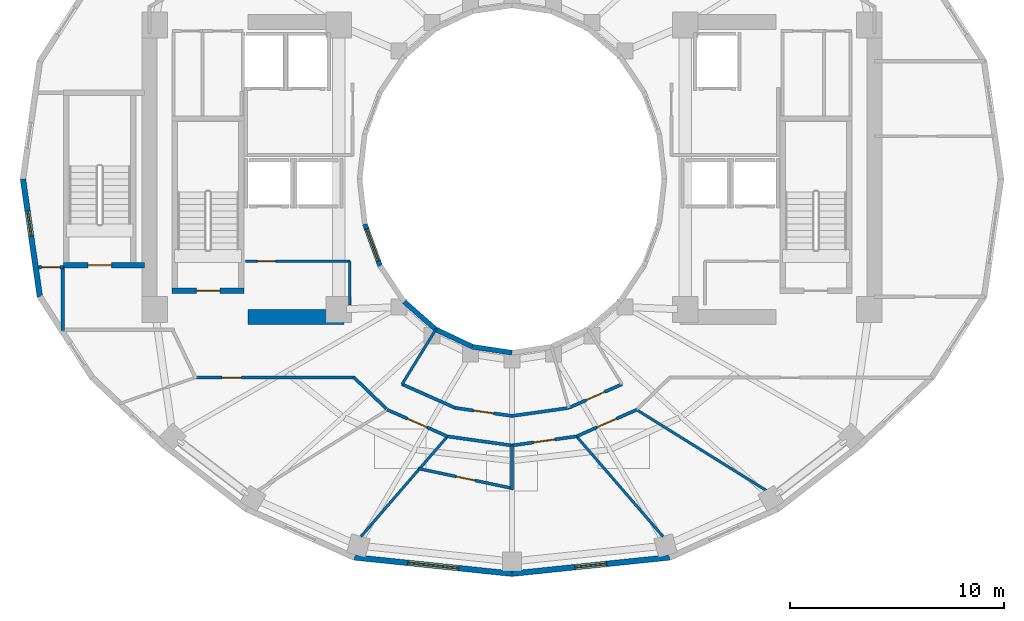
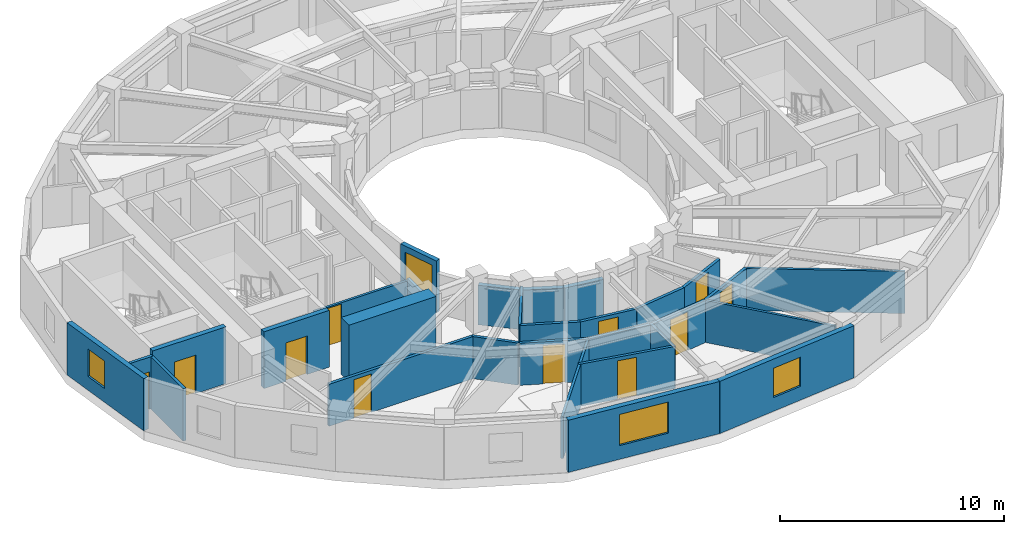
# One storey, part 3 of 9: 30 walls, 11 doors, 4 windows, 15 openings.
"""IFC4 building model written with IfcOpenShell, lengths in metres."""

from ifc_helpers import new_model, si_unit, direction, frame, frame_2d, origin, place, context, subcontext, project, spatial, rectangle, extrude, material, layer, layer_set, type_object, element, fill, save


model = new_model("IFC4")

# Units and contexts
model_context = context("Model", 3, precision=1e-05, world=origin(), true_north=direction((0.0, 1.0)))
body_context = subcontext(model_context, "Body", "Model", "MODEL_VIEW")
ifc_project = project(units=[si_unit("LENGTHUNIT", "METRE"), si_unit("AREAUNIT", "SQUARE_METRE"), si_unit("VOLUMEUNIT", "CUBIC_METRE"), si_unit("PLANEANGLEUNIT", "RADIAN"), si_unit("MASSUNIT", "GRAM", prefix="KILO")], contexts=[model_context])

# Site, building, storey
site_placement = place(None, origin())
site = spatial("IfcSite", under=ifc_project, at=site_placement, CompositionType="ELEMENT")
building_placement = place(site_placement, origin())
building = spatial("IfcBuilding", under=site, at=building_placement, Name="Solvane Sanctuary Tower", CompositionType="ELEMENT")
storey_placement = place(building_placement, frame((0.0, 0.0, 143.60009765625)))
storey = spatial("IfcBuildingStorey", under=building, at=storey_placement, Name="L43", CompositionType="ELEMENT", Elevation=143.60009765625)

# Wall
ifc_material_1 = material(Name="Concrete C60/75", Category="concrete")
ifc_layer_1 = layer(ifc_material_1, 0.699951171875, Name="Concrete C60/75")
ifc_layer_set_1 = layer_set([ifc_layer_1], Name="Concrete C60/75")
wall_type_1 = type_object("IfcWallType", Name="Wall W-CORE-700", PredefinedType="SHEAR", material=ifc_layer_set_1)
wall_1_placement = place(storey_placement, frame((19.64990234375, 16.550048828125, 0.0), z_axis=(0.0, 0.0, 1.0), x_axis=(1.0, 0.0, 0.0)))
element("IfcWall", 1, at=wall_1_placement, inside=storey, type_object=wall_type_1, Name="L43 Core Shear Wall WC-S", PredefinedType="SHEAR", context=body_context, shape_type="SweptSolid", body=[
    extrude(rectangle(XDim=4.5, YDim=0.699951171875, at=frame_2d((2.25, 0.0))), origin(), (0.0, 0.0, 1.0), 3.099853515625),
])

# Wall, opening, door
ifc_material_2 = material(Name="Acoustic Gypsum Partition Board")
ifc_layer_2 = layer(ifc_material_2, 0.14990234375, Name="Acoustic Gypsum Partition Board")
ifc_layer_set_2 = layer_set([ifc_layer_2], Name="Acoustic Gypsum Partition Board")
wall_type_2 = type_object("IfcWallType", Name="Wall W-CORR-150", PredefinedType="PARTITIONING", material=ifc_layer_set_2)
wall_2_placement = place(storey_placement, frame((9.869873046875, 18.8798828125, 0.0), z_axis=(0.0, 0.0, 1.0), x_axis=(1.0, 0.0, 0.0)))
wall_2 = element("IfcWall", 2, at=wall_2_placement, inside=storey, type_object=wall_type_2, Name="L43 SW Corner Closer 1", PredefinedType="PARTITIONING", context=body_context, shape_type="SweptSolid", body=[
    extrude(rectangle(XDim=1.170166015625, YDim=0.14990234375, at=frame_2d((0.5849609375, 0.0))), origin(), (0.0, 0.0, 1.0), 2.85498046875),
])
opening_1_placement = place(wall_2_placement, frame((0.139892578125, 0.0, 0.0)))
opening_1 = element("IfcOpeningElement", 3, at=opening_1_placement, cuts=wall_2, Name="Opening D-L43-18", PredefinedType="OPENING", context=body_context, shape_type="SweptSolid", body=[
    extrude(rectangle(XDim=0.85009765625, YDim=2.050048828125, at=frame_2d((0.425048828125, 1.02490234375))), frame((0.0, 0.0849609375, 0.0), z_axis=(0.0, -1.0, 0.0), x_axis=(1.0, 0.0, 0.0)), (0.0, 0.0, 1.0), 0.169921875),
])
ifc_material_3 = material(Name="Architectural Stainless Steel 316", Category="steel")
door_type_1 = type_object("IfcDoorType", Name="Door D-RISER", OperationType="NOTDEFINED", PredefinedType="DOOR", material=ifc_material_3)
door_1_placement = place(opening_1_placement, origin())
door_1 = element("IfcDoor", 4, at=door_1_placement, inside=storey, type_object=door_type_1, Name="L43 West Lookout Study Door", OperationType="SINGLE_SWING_LEFT", OverallHeight=2.050048828125, OverallWidth=0.85009765625, PredefinedType="DOOR", context=body_context, shape_type="SweptSolid", body=[
    extrude(rectangle(XDim=0.85009765625, YDim=2.050048828125, at=frame_2d((0.425048828125, 1.02490234375))), frame((0.0, 0.02490234375, 0.0), z_axis=(0.0, -1.0, 0.0), x_axis=(1.0, 0.0, 0.0)), (0.0, 0.0, 1.0), 0.050048828125),
])
fill(opening_1, door_1)

# Walls
wall_3_placement = place(storey_placement, frame((11.0, 15.909912109375, 0.0), z_axis=(0.0, 0.0, 1.0), x_axis=(0.0, 1.0, 0.0)))
element("IfcWall", 5, at=wall_3_placement, inside=storey, type_object=wall_type_2, Name="L43 SW Corner Closer 2", PredefinedType="PARTITIONING", context=body_context, shape_type="SweptSolid", body=[
    extrude(rectangle(XDim=3.010009765625, YDim=0.14990234375, at=frame_2d((1.5048828125, 0.0))), origin(), (0.0, 0.0, 1.0), 2.85498046875),
])
wall_4_placement = place(storey_placement, frame((26.132568359375, 12.251220703125, 0.0), z_axis=(0.0, 0.0, 1.0), x_axis=(-0.717419568599, 0.696641344302, 0.0)))
element("IfcWall", 6, at=wall_4_placement, inside=storey, type_object=wall_type_2, Name="L43 SW Corner Throat Wall", PredefinedType="PARTITIONING", context=body_context, shape_type="SweptSolid", body=[
    extrude(rectangle(XDim=2.138427734375, YDim=0.14990234375, at=frame_2d((1.0693359375, 0.0))), origin(), (0.0, 0.0, 1.0), 2.298828125),
])

# Wall, opening, door
wall_5_placement = place(storey_placement, frame((17.14990234375, 13.719970703125, 0.0), z_axis=(0.0, 0.0, 1.0), x_axis=(1.0, 0.0, 0.0)))
wall_5 = element("IfcWall", 7, at=wall_5_placement, inside=storey, type_object=wall_type_2, Name="L43 SW Corner Corridor Wall", PredefinedType="PARTITIONING", context=body_context, shape_type="SweptSolid", body=[
    extrude(rectangle(XDim=7.52001953125, YDim=0.14990234375, at=frame_2d((3.760009765625, 0.0))), origin(), (0.0, 0.0, 1.0), 2.298828125),
])
opening_2_placement = place(wall_5_placement, frame((1.300048828125, 0.0, 0.0)))
opening_2 = element("IfcOpeningElement", 8, at=opening_2_placement, cuts=wall_5, Name="Opening D-L43-20", PredefinedType="OPENING", context=body_context, shape_type="SweptSolid", body=[
    extrude(rectangle(XDim=0.89990234375, YDim=2.10009765625, at=frame_2d((0.449951171875, 1.050048828125))), frame((0.0, 0.0849609375, 0.0), z_axis=(0.0, -1.0, 0.0), x_axis=(1.0, 0.0, 0.0)), (0.0, 0.0, 1.0), 0.169921875),
])
ifc_material_4 = material(Name="Engineered Tropical Hardwood", Category="wood")
door_type_2 = type_object("IfcDoorType", Name="Door D-WET-900", OperationType="NOTDEFINED", PredefinedType="DOOR", material=ifc_material_4)
door_2_placement = place(opening_2_placement, origin())
door_2 = element("IfcDoor", 9, at=door_2_placement, inside=storey, type_object=door_type_2, Name="L43 SW Corner Salon Door", OperationType="SINGLE_SWING_LEFT", OverallHeight=2.10009765625, OverallWidth=0.89990234375, PredefinedType="DOOR", context=body_context, shape_type="SweptSolid", body=[
    extrude(rectangle(XDim=0.89990234375, YDim=2.10009765625, at=frame_2d((0.449951171875, 1.050048828125))), frame((0.0, 0.02490234375, 0.0), z_axis=(0.0, -1.0, 0.0), x_axis=(1.0, 0.0, 0.0)), (0.0, 0.0, 1.0), 0.050048828125),
])
fill(opening_2, door_2)

# Wall
wall_6_placement = place(storey_placement, frame((26.855712890625, 13.411865234375, 0.0), z_axis=(0.0, 0.0, 1.0), x_axis=(0.912985265053, -0.407992531545, 0.0)))
element("IfcWall", 10, at=wall_6_placement, inside=storey, type_object=wall_type_2, Name="L43 Inner Light-Well Corridor Wall S1", PredefinedType="PARTITIONING", context=body_context, shape_type="SweptSolid", body=[
    extrude(rectangle(XDim=2.723388671875, YDim=0.14990234375, at=frame_2d((1.36181640625, 0.0))), origin(), (0.0, 0.0, 1.0), 2.298828125),
])

# Wall, opening, door
wall_7_placement = place(storey_placement, frame((29.338623046875, 12.302001953125, 0.0), z_axis=(0.0, 0.0, 1.0), x_axis=(0.990079774468, -0.140506370634, 0.0)))
wall_7 = element("IfcWall", 11, at=wall_7_placement, inside=storey, type_object=wall_type_2, Name="L43 Inner Light-Well Corridor Wall S1", PredefinedType="PARTITIONING", context=body_context, shape_type="SweptSolid", body=[
    extrude(rectangle(XDim=2.689697265625, YDim=0.14990234375, at=frame_2d((1.3447265625, 0.0))), origin(), (0.0, 0.0, 1.0), 2.298828125),
])
opening_3_placement = place(wall_7_placement, frame((0.869873046875, 0.0, 0.0)))
opening_3 = element("IfcOpeningElement", 12, at=opening_3_placement, cuts=wall_7, Name="Opening D-L43-22", PredefinedType="OPENING", context=body_context, shape_type="SweptSolid", body=[
    extrude(rectangle(XDim=0.949951171875, YDim=2.10009765625, at=frame_2d((0.47509765625, 1.050048828125))), frame((0.0, 0.0849609375, 0.0), z_axis=(0.0, -1.0, 0.0), x_axis=(1.0, 0.0, 0.0)), (0.0, 0.0, 1.0), 0.169921875),
])
door_type_3 = type_object("IfcDoorType", Name="Door D-ROOM-950", OperationType="NOTDEFINED", PredefinedType="DOOR", material=ifc_material_4)
door_3_placement = place(opening_3_placement, origin())
door_3 = element("IfcDoor", 13, at=door_3_placement, inside=storey, type_object=door_type_3, Name="L43 Inner Light-Well Salon Door S1", OperationType="SINGLE_SWING_LEFT", OverallHeight=2.10009765625, OverallWidth=0.949951171875, PredefinedType="DOOR", context=body_context, shape_type="SweptSolid", body=[
    extrude(rectangle(XDim=0.949951171875, YDim=2.10009765625, at=frame_2d((0.47509765625, 1.050048828125))), frame((0.0, 0.02490234375, 0.0), z_axis=(0.0, -1.0, 0.0), x_axis=(1.0, 0.0, 0.0)), (0.0, 0.0, 1.0), 0.050048828125),
])
fill(opening_3, door_3)

# Wall
wall_8_placement = place(storey_placement, frame((31.998291015625, 11.924072265625, 0.0), z_axis=(0.0, 0.0, 1.0), x_axis=(0.990041682628, 0.140774524184, 0.0)))
element("IfcWall", 14, at=wall_8_placement, inside=storey, type_object=wall_type_2, Name="L43 Inner Light-Well Corridor Wall S1", PredefinedType="PARTITIONING", context=body_context, shape_type="SweptSolid", body=[
    extrude(rectangle(XDim=2.695068359375, YDim=0.14990234375, at=frame_2d((1.34765625, 0.0))), origin(), (0.0, 0.0, 1.0), 2.298828125),
])

# Wall, opening, door
wall_9_placement = place(storey_placement, frame((34.652587890625, 12.29931640625, 0.0), z_axis=(0.0, 0.0, 1.0), x_axis=(0.913112902883, 0.407706789971, 0.0)))
wall_9 = element("IfcWall", 15, at=wall_9_placement, inside=storey, type_object=wall_type_2, Name="L43 Inner Light-Well Corridor Wall S2", PredefinedType="PARTITIONING", context=body_context, shape_type="SweptSolid", body=[
    extrude(rectangle(XDim=2.728759765625, YDim=0.14990234375, at=frame_2d((1.3642578125, 0.0))), origin(), (0.0, 0.0, 1.0), 2.298828125),
])
opening_4_placement = place(wall_9_placement, frame((0.889404296875, 0.0, 0.0)))
opening_4 = element("IfcOpeningElement", 16, at=opening_4_placement, cuts=wall_9, Name="Opening D-L43-23", PredefinedType="OPENING", context=body_context, shape_type="SweptSolid", body=[
    extrude(rectangle(XDim=0.949951171875, YDim=2.10009765625, at=frame_2d((0.47509765625, 1.050048828125))), frame((0.0, 0.0849609375, 0.0), z_axis=(0.0, -1.0, 0.0), x_axis=(1.0, 0.0, 0.0)), (0.0, 0.0, 1.0), 0.169921875),
])
door_4_placement = place(opening_4_placement, origin())
door_4 = element("IfcDoor", 17, at=door_4_placement, inside=storey, type_object=door_type_3, Name="L43 Inner Light-Well Salon Door S2", OperationType="SINGLE_SWING_RIGHT", OverallHeight=2.10009765625, OverallWidth=0.949951171875, PredefinedType="DOOR", context=body_context, shape_type="SweptSolid", body=[
    extrude(rectangle(XDim=0.949951171875, YDim=2.10009765625, at=frame_2d((0.47509765625, 1.050048828125))), frame((0.0, 0.02490234375, 0.0), z_axis=(0.0, -1.0, 0.0), x_axis=(1.0, 0.0, 0.0)), (0.0, 0.0, 1.0), 0.050048828125),
])
fill(opening_4, door_4)

wall_10_placement = place(storey_placement, frame((26.1650390625, 12.217041015625, 0.0), z_axis=(0.0, 0.0, 1.0), x_axis=(0.91445214467, -0.404694051239, 0.0)))
wall_10 = element("IfcWall", 18, at=wall_10_placement, inside=storey, type_object=wall_type_2, Name="L43 Unit Corridor Wall S1", PredefinedType="PARTITIONING", context=body_context, shape_type="SweptSolid", body=[
    extrude(rectangle(XDim=3.090576171875, YDim=0.14990234375, at=frame_2d((1.54541015625, 0.0))), origin(), (0.0, 0.0, 1.0), 2.298828125),
])
opening_5_placement = place(wall_10_placement, frame((1.04541015625, 0.0, 0.0)))
opening_5 = element("IfcOpeningElement", 19, at=opening_5_placement, cuts=wall_10, Name="Opening D-L43-30", PredefinedType="OPENING", context=body_context, shape_type="SweptSolid", body=[
    extrude(rectangle(XDim=1.0, YDim=2.10009765625, at=frame_2d((0.5, 1.050048828125))), frame((0.0, 0.0849609375, 0.0), z_axis=(0.0, -1.0, 0.0), x_axis=(1.0, 0.0, 0.0)), (0.0, 0.0, 1.0), 0.169921875),
])
door_type_4 = type_object("IfcDoorType", Name="Door D-UNIT", OperationType="NOTDEFINED", PredefinedType="DOOR", material=ifc_material_4)
door_5_placement = place(opening_5_placement, origin())
door_5 = element("IfcDoor", 20, at=door_5_placement, inside=storey, type_object=door_type_4, Name="L43 Unit Entrance Door S1", OperationType="SINGLE_SWING_LEFT", OverallHeight=2.10009765625, OverallWidth=1.0, PredefinedType="DOOR", context=body_context, shape_type="SweptSolid", body=[
    extrude(rectangle(XDim=1.0, YDim=2.10009765625, at=frame_2d((0.5, 1.050048828125))), frame((0.0, 0.02490234375, 0.0), z_axis=(0.0, -1.0, 0.0), x_axis=(1.0, 0.0, 0.0)), (0.0, 0.0, 1.0), 0.050048828125),
])
fill(opening_5, door_5)

# Wall
wall_11_placement = place(storey_placement, frame((28.93359375, 10.975341796875, 0.0), z_axis=(0.0, 0.0, 1.0), x_axis=(0.990254405439, -0.139270285808, 0.0)))
element("IfcWall", 21, at=wall_11_placement, inside=storey, type_object=wall_type_2, Name="L43 En-suite Inner Wall S2", PredefinedType="PARTITIONING", context=body_context, shape_type="SweptSolid", body=[
    extrude(rectangle(XDim=3.146728515625, YDim=0.14990234375, at=frame_2d((1.5732421875, 0.0))), origin(), (0.0, 0.0, 1.0), 2.298828125),
])

# Wall, opening, door
wall_12_placement = place(storey_placement, frame((31.991943359375, 10.5439453125, 0.0), z_axis=(0.0, 0.0, 1.0), x_axis=(0.990243864279, 0.139345216129, 0.0)))
wall_12 = element("IfcWall", 22, at=wall_12_placement, inside=storey, type_object=wall_type_2, Name="L43 Unit Corridor Wall S2", PredefinedType="PARTITIONING", context=body_context, shape_type="SweptSolid", body=[
    extrude(rectangle(XDim=3.0625, YDim=0.14990234375, at=frame_2d((1.53125, 0.0))), origin(), (0.0, 0.0, 1.0), 2.298828125),
])
opening_6_placement = place(wall_12_placement, frame((1.03125, 0.0, 0.0)))
opening_6 = element("IfcOpeningElement", 23, at=opening_6_placement, cuts=wall_12, Name="Opening D-L43-32", PredefinedType="OPENING", context=body_context, shape_type="SweptSolid", body=[
    extrude(rectangle(XDim=1.0, YDim=2.10009765625, at=frame_2d((0.5, 1.050048828125))), frame((0.0, 0.0849609375, 0.0), z_axis=(0.0, -1.0, 0.0), x_axis=(1.0, 0.0, 0.0)), (0.0, 0.0, 1.0), 0.169921875),
])
door_6_placement = place(opening_6_placement, origin())
door_6 = element("IfcDoor", 24, at=door_6_placement, inside=storey, type_object=door_type_4, Name="L43 Unit Entrance Door S2", OperationType="SINGLE_SWING_LEFT", OverallHeight=2.10009765625, OverallWidth=1.0, PredefinedType="DOOR", context=body_context, shape_type="SweptSolid", body=[
    extrude(rectangle(XDim=1.0, YDim=2.10009765625, at=frame_2d((0.5, 1.050048828125))), frame((0.0, 0.02490234375, 0.0), z_axis=(0.0, -1.0, 0.0), x_axis=(1.0, 0.0, 0.0)), (0.0, 0.0, 1.0), 0.050048828125),
])
fill(opening_6, door_6)

wall_13_placement = place(storey_placement, frame((35.0087890625, 10.96630859375, 0.0), z_axis=(0.0, 0.0, 1.0), x_axis=(0.91445214467, 0.404694051239, 0.0)))
wall_13 = element("IfcWall", 25, at=wall_13_placement, inside=storey, type_object=wall_type_2, Name="L43 Unit Corridor Wall S3", PredefinedType="PARTITIONING", context=body_context, shape_type="SweptSolid", body=[
    extrude(rectangle(XDim=3.090576171875, YDim=0.14990234375, at=frame_2d((1.54541015625, 0.0))), origin(), (0.0, 0.0, 1.0), 2.298828125),
])
opening_7_placement = place(wall_13_placement, frame((1.04541015625, 0.0, 0.0)))
opening_7 = element("IfcOpeningElement", 26, at=opening_7_placement, cuts=wall_13, Name="Opening D-L43-33", PredefinedType="OPENING", context=body_context, shape_type="SweptSolid", body=[
    extrude(rectangle(XDim=1.0, YDim=2.10009765625, at=frame_2d((0.5, 1.050048828125))), frame((0.0, 0.0849609375, 0.0), z_axis=(0.0, -1.0, 0.0), x_axis=(1.0, 0.0, 0.0)), (0.0, 0.0, 1.0), 0.169921875),
])
door_7_placement = place(opening_7_placement, origin())
door_7 = element("IfcDoor", 27, at=door_7_placement, inside=storey, type_object=door_type_4, Name="L43 Unit Entrance Door S3", OperationType="SINGLE_SWING_RIGHT", OverallHeight=2.10009765625, OverallWidth=1.0, PredefinedType="DOOR", context=body_context, shape_type="SweptSolid", body=[
    extrude(rectangle(XDim=1.0, YDim=2.10009765625, at=frame_2d((0.5, 1.050048828125))), frame((0.0, 0.02490234375, 0.0), z_axis=(0.0, -1.0, 0.0), x_axis=(1.0, 0.0, 0.0)), (0.0, 0.0, 1.0), 0.050048828125),
])
fill(opening_7, door_7)

# Wall, opening, window
ifc_material_5 = material(Name="Precast concrete C40/50", Category="concrete")
ifc_layer_3 = layer(ifc_material_5, 0.260009765625, Name="Precast concrete C40/50")
ifc_layer_set_3 = layer_set([ifc_layer_3], Name="Precast concrete C40/50")
wall_type_3 = type_object("IfcWallType", Name="Wall W-EXT-250", PredefinedType="STANDARD", material=ifc_layer_set_3)
wall_14_placement = place(storey_placement, frame((9.139892578125, 23.0, 0.0), z_axis=(0.0, 0.0, 1.0), x_axis=(0.142227632286, -0.989833976288, 0.0)))
wall_14 = element("IfcWall", 28, at=wall_14_placement, inside=storey, type_object=wall_type_3, Name="L43 Ceramic-Printed Facade Wall 12", PredefinedType="STANDARD", context=body_context, shape_type="SweptSolid", body=[
    extrude(rectangle(XDim=5.552978515625, YDim=0.260009765625, at=frame_2d((2.7763671875, 0.0))), origin(), (0.0, 0.0, 1.0), 2.849853515625),
])
opening_8_placement = place(wall_14_placement, frame((1.506103515625, 0.0, 0.75)))
opening_8 = element("IfcOpeningElement", 29, at=opening_8_placement, cuts=wall_14, Name="Opening WN-OPER-1200", PredefinedType="OPENING", context=body_context, shape_type="SweptSolid", body=[
    extrude(rectangle(XDim=1.199951171875, YDim=1.5, at=frame_2d((0.60009765625, 0.75))), frame((0.0, 0.139892578125, 0.0), z_axis=(0.0, -1.0, 0.0), x_axis=(1.0, 0.0, 0.0)), (0.0, 0.0, 1.0), 0.280029296875),
])
ifc_material_6 = material(Name="Dark Ceramic-Fritted Low-E Glass", Category="glass")
window_type_1 = type_object("IfcWindowType", Name="Window WN-OPER-1200", PartitioningType="SINGLE_PANEL", PredefinedType="WINDOW", material=ifc_material_6)
window_1_placement = place(opening_8_placement, origin())
window_1 = element("IfcWindow", 30, at=window_1_placement, inside=storey, type_object=window_type_1, Name="L43 Operable Facade Window 12", OverallHeight=1.5, OverallWidth=1.199951171875, PartitioningType="SINGLE_PANEL", PredefinedType="WINDOW", context=body_context, shape_type="SweptSolid", body=[
    extrude(rectangle(XDim=1.199951171875, YDim=1.5, at=frame_2d((0.60009765625, 0.75))), frame((0.0, 0.030029296875, 0.0), z_axis=(0.0, -1.0, 0.0), x_axis=(1.0, 0.0, 0.0)), (0.0, 0.0, 1.0), 0.06005859375),
])
fill(opening_8, window_1)

wall_15_placement = place(storey_placement, frame((24.634765625, 5.3154296875, 0.0), z_axis=(0.0, 0.0, 1.0), x_axis=(0.994664178965, -0.10316574569, 0.0)))
wall_15 = element("IfcWall", 31, at=wall_15_placement, inside=storey, type_object=wall_type_3, Name="L43 Ceramic-Printed Facade Wall 17", PredefinedType="STANDARD", context=body_context, shape_type="SweptSolid", body=[
    extrude(rectangle(XDim=7.40478515625, YDim=0.260009765625, at=frame_2d((3.702392578125, 0.0))), origin(), (0.0, 0.0, 1.0), 2.849853515625),
])
opening_9_placement = place(wall_15_placement, frame((2.50244140625, 0.0, 0.75)))
opening_9 = element("IfcOpeningElement", 32, at=opening_9_placement, cuts=wall_15, Name="Opening WN-RIB-2400", PredefinedType="OPENING", context=body_context, shape_type="SweptSolid", body=[
    extrude(rectangle(XDim=2.39990234375, YDim=1.699951171875, at=frame_2d((1.199951171875, 0.85009765625))), frame((0.0, 0.139892578125, 0.0), z_axis=(0.0, -1.0, 0.0), x_axis=(1.0, 0.0, 0.0)), (0.0, 0.0, 1.0), 0.280029296875),
])
window_type_2 = type_object("IfcWindowType", Name="Window WN-RIB-2400", PartitioningType="SINGLE_PANEL", PredefinedType="WINDOW", material=ifc_material_6)
window_2_placement = place(opening_9_placement, origin())
window_2 = element("IfcWindow", 33, at=window_2_placement, inside=storey, type_object=window_type_2, Name="L43 Operable Facade Window 17", OverallHeight=1.699951171875, OverallWidth=2.39990234375, PartitioningType="SINGLE_PANEL", PredefinedType="WINDOW", context=body_context, shape_type="SweptSolid", body=[
    extrude(rectangle(XDim=2.39990234375, YDim=1.699951171875, at=frame_2d((1.199951171875, 0.85009765625))), frame((0.0, 0.030029296875, 0.0), z_axis=(0.0, -1.0, 0.0), x_axis=(1.0, 0.0, 0.0)), (0.0, 0.0, 1.0), 0.06005859375),
])
fill(opening_9, window_2)

wall_16_placement = place(storey_placement, frame((32.0, 4.551513671875, 0.0), z_axis=(0.0, 0.0, 1.0), x_axis=(0.994664178965, 0.10316574569, 0.0)))
wall_16 = element("IfcWall", 34, at=wall_16_placement, inside=storey, type_object=wall_type_3, Name="L43 Ceramic-Printed Facade Wall 18", PredefinedType="STANDARD", context=body_context, shape_type="SweptSolid", body=[
    extrude(rectangle(XDim=7.40478515625, YDim=0.260009765625, at=frame_2d((3.702392578125, 0.0))), origin(), (0.0, 0.0, 1.0), 2.849853515625),
])
opening_10_placement = place(wall_16_placement, frame((2.952392578125, 0.0, 0.75)))
opening_10 = element("IfcOpeningElement", 35, at=opening_10_placement, cuts=wall_16, Name="Opening WN-OPER-1500", PredefinedType="OPENING", context=body_context, shape_type="SweptSolid", body=[
    extrude(rectangle(XDim=1.5, YDim=1.60009765625, at=frame_2d((0.75, 0.800048828125))), frame((0.0, 0.139892578125, 0.0), z_axis=(0.0, -1.0, 0.0), x_axis=(1.0, 0.0, 0.0)), (0.0, 0.0, 1.0), 0.280029296875),
])
window_type_3 = type_object("IfcWindowType", Name="Window WN-OPER-1500", PartitioningType="SINGLE_PANEL", PredefinedType="WINDOW", material=ifc_material_6)
window_3_placement = place(opening_10_placement, origin())
window_3 = element("IfcWindow", 36, at=window_3_placement, inside=storey, type_object=window_type_3, Name="L43 Operable Facade Window 18", OverallHeight=1.60009765625, OverallWidth=1.5, PartitioningType="SINGLE_PANEL", PredefinedType="WINDOW", context=body_context, shape_type="SweptSolid", body=[
    extrude(rectangle(XDim=1.5, YDim=1.60009765625, at=frame_2d((0.75, 0.800048828125))), frame((0.0, 0.030029296875, 0.0), z_axis=(0.0, -1.0, 0.0), x_axis=(1.0, 0.0, 0.0)), (0.0, 0.0, 1.0), 0.06005859375),
])
fill(opening_10, window_3)

ifc_layer_4 = layer(ifc_material_5, 0.22998046875, Name="Precast concrete C40/50")
ifc_layer_set_4 = layer_set([ifc_layer_4], Name="Precast concrete C40/50")
wall_type_4 = type_object("IfcWallType", Name="Wall W-EXT-SP220", PredefinedType="STANDARD", material=ifc_layer_set_4)
wall_17_placement = place(storey_placement, frame((25.12255859375, 20.8984375, 0.0), z_axis=(0.0, 0.0, 1.0), x_axis=(0.341423187295, -0.93990968033, 0.0)))
wall_17 = element("IfcWall", 37, at=wall_17_placement, inside=storey, type_object=wall_type_4, Name="L43 Central Light-Well Wall 13", PredefinedType="STANDARD", context=body_context, shape_type="SweptSolid", body=[
    extrude(rectangle(XDim=2.083740234375, YDim=0.22998046875, at=frame_2d((1.0419921875, 0.0))), origin(), (0.0, 0.0, 1.0), 2.83984375),
])
opening_11_placement = place(wall_17_placement, frame((0.24169921875, 0.0, 0.85009765625)))
opening_11 = element("IfcOpeningElement", 38, at=opening_11_placement, cuts=wall_17, Name="Opening WN-WELL-1600", PredefinedType="OPENING", context=body_context, shape_type="SweptSolid", body=[
    extrude(rectangle(XDim=1.60009765625, YDim=1.64990234375, at=frame_2d((0.800048828125, 0.824951171875))), frame((0.0, 0.125, 0.0), z_axis=(0.0, -1.0, 0.0), x_axis=(1.0, 0.0, 0.0)), (0.0, 0.0, 1.0), 0.25),
])
ifc_material_7 = material(Name="Clear Laminated Light-Well Glass", Category="glass")
window_type_4 = type_object("IfcWindowType", Name="Window WN-WELL-1600", PartitioningType="SINGLE_PANEL", PredefinedType="WINDOW", material=ifc_material_7)
window_4_placement = place(opening_11_placement, origin())
window_4 = element("IfcWindow", 39, at=window_4_placement, inside=storey, type_object=window_type_4, Name="L43 Light-Well Daylight Window 13", OverallHeight=1.64990234375, OverallWidth=1.60009765625, PartitioningType="SINGLE_PANEL", PredefinedType="WINDOW", context=body_context, shape_type="SweptSolid", body=[
    extrude(rectangle(XDim=1.60009765625, YDim=1.64990234375, at=frame_2d((0.800048828125, 0.824951171875))), frame((0.0, 0.030029296875, 0.0), z_axis=(0.0, -1.0, 0.0), x_axis=(1.0, 0.0, 0.0)), (0.0, 0.0, 1.0), 0.06005859375),
])
fill(opening_11, window_4)

# Walls
wall_18_placement = place(storey_placement, frame((26.96533203125, 17.25830078125, 0.0), z_axis=(0.0, 0.0, 1.0), x_axis=(0.752576694707, -0.658504607869, 0.0)))
element("IfcWall", 40, at=wall_18_placement, inside=storey, type_object=wall_type_4, Name="L43 Central Light-Well Wall 15", PredefinedType="STANDARD", context=body_context, shape_type="SweptSolid", body=[
    extrude(rectangle(XDim=1.95947265625, YDim=0.22998046875, at=frame_2d((0.979736328125, 0.0))), origin(), (0.0, 0.0, 1.0), 2.159912109375),
])
wall_19_placement = place(storey_placement, frame((28.43994140625, 15.968017578125, 0.0), z_axis=(0.0, 0.0, 1.0), x_axis=(0.904179699603, -0.427152280606, 0.0)))
element("IfcWall", 41, at=wall_19_placement, inside=storey, type_object=wall_type_4, Name="L43 Central Light-Well Wall 16", PredefinedType="STANDARD", context=body_context, shape_type="SweptSolid", body=[
    extrude(rectangle(XDim=1.899169921875, YDim=0.22998046875, at=frame_2d((0.94970703125, 0.0))), origin(), (0.0, 0.0, 1.0), 2.159912109375),
])
wall_20_placement = place(storey_placement, frame((30.1572265625, 15.15673828125, 0.0), z_axis=(0.0, 0.0, 1.0), x_axis=(0.988901730308, -0.148571086668, 0.0)))
element("IfcWall", 42, at=wall_20_placement, inside=storey, type_object=wall_type_4, Name="L43 Central Light-Well Wall 17", PredefinedType="STANDARD", context=body_context, shape_type="SweptSolid", body=[
    extrude(rectangle(XDim=1.863525390625, YDim=0.22998046875, at=frame_2d((0.931640625, 0.0))), origin(), (0.0, 0.0, 1.0), 2.159912109375),
])

# Wall, opening, door
ifc_layer_5 = layer(ifc_material_2, 0.125, Name="Acoustic Gypsum Partition Board")
ifc_layer_set_5 = layer_set([ifc_layer_5], Name="Acoustic Gypsum Partition Board")
wall_type_5 = type_object("IfcWallType", Name="Wall W-PART-125", PredefinedType="PARTITIONING", material=ifc_layer_set_5)
wall_21_placement = place(storey_placement, frame((19.550048828125, 19.159912109375, 0.0), z_axis=(0.0, 0.0, 1.0), x_axis=(1.0, 0.0, 0.0)))
wall_21 = element("IfcWall", 43, at=wall_21_placement, inside=storey, type_object=wall_type_5, Name="L43 Reclaimed Room Partition PLW", PredefinedType="PARTITIONING", context=body_context, shape_type="SweptSolid", body=[
    extrude(rectangle(XDim=4.869873046875, YDim=0.125, at=frame_2d((2.43505859375, 0.0))), origin(), (0.0, 0.0, 1.0), 2.119873046875),
])
opening_12_placement = place(wall_21_placement, frame((0.550048828125, 0.0, 0.0)))
opening_12 = element("IfcOpeningElement", 44, at=opening_12_placement, cuts=wall_21, Name="Opening D-L43-06", PredefinedType="OPENING", context=body_context, shape_type="SweptSolid", body=[
    extrude(rectangle(XDim=0.85009765625, YDim=2.050048828125, at=frame_2d((0.425048828125, 1.02490234375))), frame((0.0, 0.072509765625, 0.0), z_axis=(0.0, -1.0, 0.0), x_axis=(1.0, 0.0, 0.0)), (0.0, 0.0, 1.0), 0.14501953125),
])
door_8_placement = place(opening_12_placement, origin())
door_8 = element("IfcDoor", 45, at=door_8_placement, inside=storey, type_object=door_type_1, Name="L43 Reclaimed Room Door PLW-1", OperationType="SINGLE_SWING_LEFT", OverallHeight=2.050048828125, OverallWidth=0.85009765625, PredefinedType="DOOR", context=body_context, shape_type="SweptSolid", body=[
    extrude(rectangle(XDim=0.85009765625, YDim=2.050048828125, at=frame_2d((0.425048828125, 1.02490234375))), frame((0.0, 0.02490234375, 0.0), z_axis=(0.0, -1.0, 0.0), x_axis=(1.0, 0.0, 0.0)), (0.0, 0.0, 1.0), 0.050048828125),
])
fill(opening_12, door_8)

# Walls
wall_22_placement = place(storey_placement, frame((24.419921875, 17.10009765625, 0.0), z_axis=(0.0, 0.0, 1.0), x_axis=(0.0, 1.0, 0.0)))
element("IfcWall", 46, at=wall_22_placement, inside=storey, type_object=wall_type_5, Name="L43 Reclaimed Room Closer Wall PLW-1", PredefinedType="PARTITIONING", context=body_context, shape_type="SweptSolid", body=[
    extrude(rectangle(XDim=2.039794921875, YDim=0.125, at=frame_2d((1.02001953125, 0.0))), origin(), (0.0, 0.0, 1.0), 2.23193359375),
])
wall_23_placement = place(storey_placement, frame((28.449951171875, 15.985107421875, 0.0), z_axis=(0.0, 0.0, 1.0), x_axis=(-0.524565340045, -0.851370192116, 0.0)))
element("IfcWall", 47, at=wall_23_placement, inside=storey, type_object=wall_type_5, Name="L43 Inner Light-Well Radial Wall 240", PredefinedType="PARTITIONING", context=body_context, shape_type="SweptSolid", body=[
    extrude(rectangle(XDim=3.027099609375, YDim=0.125, at=frame_2d((1.513671875, 0.0))), origin(), (0.0, 0.0, 1.0), 2.298828125),
])
for number, where, z_axis, x_axis, name in (
    (48, (28.947265625, 10.9267578125, 0.0), (0.0, 0.0, 1.0), (-0.653779283332, -0.756685303601, 0.0), "L43 Radial Compartment Wall 255"),
    (49, (35.052734375, 10.9267578125, 0.0), (0.0, 0.0, 1.0), (0.653779283332, -0.756685303601, 0.0), "L43 Radial Compartment Wall 285"),
):
    element("IfcWall", number, at=place(storey_placement, frame(where, z_axis=z_axis, x_axis=x_axis)), inside=storey, type_object=wall_type_5, Name=name, PredefinedType="PARTITIONING", context=body_context, shape_type="SweptSolid", body=[
        extrude(rectangle(XDim=6.139892578125, YDim=0.125, at=frame_2d((3.06982421875, 0.0))), origin(), (0.0, 0.0, 1.0), 2.298828125),
    ])
wall_24_placement = place(storey_placement, frame((37.874755859375, 12.18359375, 0.0), z_axis=(0.0, 0.0, 1.0), x_axis=(0.849008457073, -0.528379257559, 0.0)))
element("IfcWall", 50, at=wall_24_placement, inside=storey, type_object=wall_type_5, Name="L43 Radial Compartment Wall 300", PredefinedType="PARTITIONING", context=body_context, shape_type="SweptSolid", body=[
    extrude(rectangle(XDim=7.076904296875, YDim=0.125, at=frame_2d((3.53857421875, 0.0))), origin(), (0.0, 0.0, 1.0), 2.298828125),
])

# Wall, opening, door
ifc_material_8 = material(Name="Concrete C50/60", Category="concrete")
ifc_layer_6 = layer(ifc_material_8, 0.25, Name="Concrete C50/60")
ifc_layer_set_6 = layer_set([ifc_layer_6], Name="Concrete C50/60")
wall_type_6 = type_object("IfcWallType", Name="Wall W-SHAFT-250", PredefinedType="SOLIDWALL", material=ifc_layer_set_6)
wall_25_placement = place(storey_placement, frame((16.10498046875, 17.77001953125, 0.0), z_axis=(0.0, 0.0, 1.0), x_axis=(1.0, 0.0, 0.0)))
wall_25 = element("IfcWall", 51, at=wall_25_placement, inside=storey, type_object=wall_type_6, Name="L43 ST-1 Load-Bearing Shaft Wall S", PredefinedType="SOLIDWALL", context=body_context, shape_type="SweptSolid", body=[
    extrude(rectangle(XDim=3.3701171875, YDim=0.25, at=frame_2d((1.68505859375, 0.0))), origin(), (0.0, 0.0, 1.0), 3.099853515625),
])
opening_13_placement = place(wall_25_placement, frame((1.135009765625, 0.0, 0.0)))
opening_13 = element("IfcOpeningElement", 52, at=opening_13_placement, cuts=wall_25, Name="Opening D-L43-01", PredefinedType="OPENING", context=body_context, shape_type="SweptSolid", body=[
    extrude(rectangle(XDim=1.10009765625, YDim=2.10009765625, at=frame_2d((0.550048828125, 1.050048828125))), frame((0.0, 0.135009765625, 0.0), z_axis=(0.0, -1.0, 0.0), x_axis=(1.0, 0.0, 0.0)), (0.0, 0.0, 1.0), 0.27001953125),
])
door_type_5 = type_object("IfcDoorType", Name="Door D-STAIR", OperationType="NOTDEFINED", PredefinedType="DOOR", material=ifc_material_3)
door_9_placement = place(opening_13_placement, origin())
door_9 = element("IfcDoor", 53, at=door_9_placement, inside=storey, type_object=door_type_5, Name="L43 ST-1 Exit Stair Fire Door", OperationType="SINGLE_SWING_LEFT", OverallHeight=2.10009765625, OverallWidth=1.10009765625, PredefinedType="DOOR", context=body_context, shape_type="SweptSolid", body=[
    extrude(rectangle(XDim=1.10009765625, YDim=2.10009765625, at=frame_2d((0.550048828125, 1.050048828125))), frame((0.0, 0.02490234375, 0.0), z_axis=(0.0, -1.0, 0.0), x_axis=(1.0, 0.0, 0.0)), (0.0, 0.0, 1.0), 0.050048828125),
])
fill(opening_13, door_9)

wall_26_placement = place(storey_placement, frame((11.044921875, 18.969970703125, 0.0), z_axis=(0.0, 0.0, 1.0), x_axis=(1.0, 0.0, 0.0)))
wall_26 = element("IfcWall", 54, at=wall_26_placement, inside=storey, type_object=wall_type_6, Name="L43 ST-3 Load-Bearing Shaft Wall S", PredefinedType="SOLIDWALL", context=body_context, shape_type="SweptSolid", body=[
    extrude(rectangle(XDim=3.781982421875, YDim=0.25, at=frame_2d((1.89111328125, 0.0))), origin(), (0.0, 0.0, 1.0), 3.099853515625),
])
opening_14_placement = place(wall_26_placement, frame((1.135009765625, 0.0, 0.0)))
opening_14 = element("IfcOpeningElement", 55, at=opening_14_placement, cuts=wall_26, Name="Opening D-L43-03", PredefinedType="OPENING", context=body_context, shape_type="SweptSolid", body=[
    extrude(rectangle(XDim=1.10009765625, YDim=2.10009765625, at=frame_2d((0.550048828125, 1.050048828125))), frame((0.0, 0.135009765625, 0.0), z_axis=(0.0, -1.0, 0.0), x_axis=(1.0, 0.0, 0.0)), (0.0, 0.0, 1.0), 0.27001953125),
])
door_10_placement = place(opening_14_placement, origin())
door_10 = element("IfcDoor", 56, at=door_10_placement, inside=storey, type_object=door_type_5, Name="L43 ST-3 Exit Stair Fire Door", OperationType="SINGLE_SWING_LEFT", OverallHeight=2.10009765625, OverallWidth=1.10009765625, PredefinedType="DOOR", context=body_context, shape_type="SweptSolid", body=[
    extrude(rectangle(XDim=1.10009765625, YDim=2.10009765625, at=frame_2d((0.550048828125, 1.050048828125))), frame((0.0, 0.02490234375, 0.0), z_axis=(0.0, -1.0, 0.0), x_axis=(1.0, 0.0, 0.0)), (0.0, 0.0, 1.0), 0.050048828125),
])
fill(opening_14, door_10)

# Wall
ifc_layer_7 = layer(ifc_material_2, 0.139892578125, Name="Acoustic Gypsum Partition Board")
ifc_layer_set_7 = layer_set([ifc_layer_7], Name="Acoustic Gypsum Partition Board")
wall_type_7 = type_object("IfcWallType", Name="Wall W-WET-140", PredefinedType="PLUMBINGWALL", material=ifc_layer_set_7)
wall_27_placement = place(storey_placement, frame((32.0, 10.593994140625, 0.0), z_axis=(0.0, 0.0, 1.0), x_axis=(0.0, -1.0, 0.0)))
element("IfcWall", 57, at=wall_27_placement, inside=storey, type_object=wall_type_7, Name="L43 En-suite Side Partition S2", PredefinedType="PLUMBINGWALL", context=body_context, shape_type="SweptSolid", body=[
    extrude(rectangle(XDim=2.10009765625, YDim=0.139892578125, at=frame_2d((1.050048828125, 0.0))), origin(), (0.0, 0.0, 1.0), 2.298828125),
])

# Wall, opening, door
wall_28_placement = place(storey_placement, frame((27.626708984375, 9.46533203125, 0.0), z_axis=(0.0, 0.0, 1.0), x_axis=(0.97851996891, -0.206152056609, 0.0)))
wall_28 = element("IfcWall", 58, at=wall_28_placement, inside=storey, type_object=wall_type_7, Name="L43 En-suite Bedroom Wall S2", PredefinedType="PLUMBINGWALL", context=body_context, shape_type="SweptSolid", body=[
    extrude(rectangle(XDim=4.519287109375, YDim=0.139892578125, at=frame_2d((2.259765625, 0.0))), origin(), (0.0, 0.0, 1.0), 2.298828125),
])
opening_15_placement = place(wall_28_placement, frame((1.8095703125, 0.0, 0.0)))
opening_15 = element("IfcOpeningElement", 59, at=opening_15_placement, cuts=wall_28, Name="Opening D-L43-31", PredefinedType="OPENING", context=body_context, shape_type="SweptSolid", body=[
    extrude(rectangle(XDim=0.89990234375, YDim=2.10009765625, at=frame_2d((0.449951171875, 1.050048828125))), frame((0.0, 0.079833984375, 0.0), z_axis=(0.0, -1.0, 0.0), x_axis=(1.0, 0.0, 0.0)), (0.0, 0.0, 1.0), 0.159912109375),
])
door_11_placement = place(opening_15_placement, origin())
door_11 = element("IfcDoor", 60, at=door_11_placement, inside=storey, type_object=door_type_2, Name="L43 En-suite Bathroom Door S2", OperationType="SINGLE_SWING_RIGHT", OverallHeight=2.10009765625, OverallWidth=0.89990234375, PredefinedType="DOOR", context=body_context, shape_type="SweptSolid", body=[
    extrude(rectangle(XDim=0.89990234375, YDim=2.10009765625, at=frame_2d((0.449951171875, 1.050048828125))), frame((0.0, 0.02490234375, 0.0), z_axis=(0.0, -1.0, 0.0), x_axis=(1.0, 0.0, 0.0)), (0.0, 0.0, 1.0), 0.050048828125),
])
fill(opening_15, door_11)

save(model, "model.ifc")
